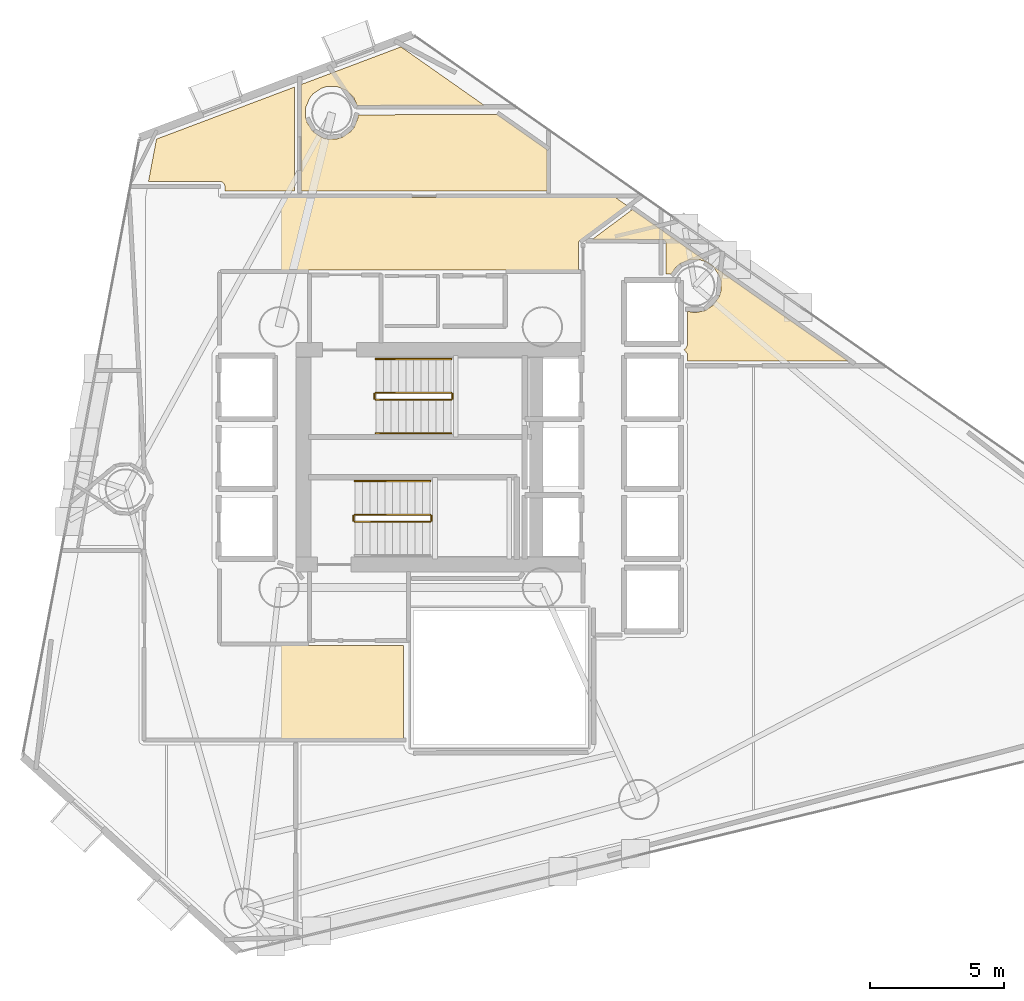
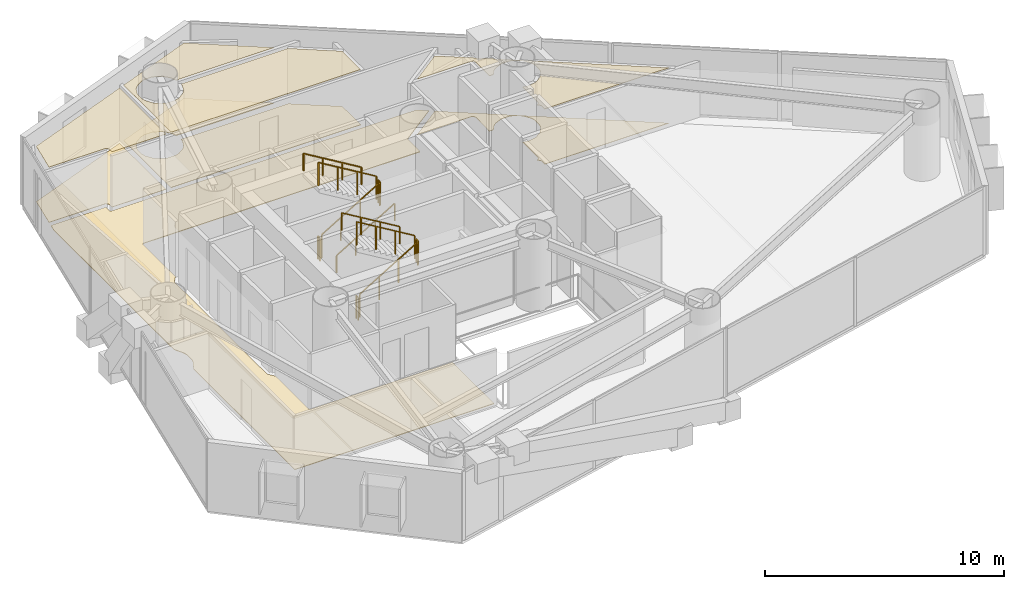
# One storey, part 23 of 24: 11 railings, 7 coverings.
"""IFC4 building model written with IfcOpenShell, lengths in metres."""

from ifc_helpers import new_model, si_unit, direction, frame, origin, origin_2d, place, context, subcontext, project, spatial, polyline, rectangle, outline, extrude, material, layer, layer_set, type_object, element, save


model = new_model("IFC4")

# Units and contexts
model_context = context("Model", 3, precision=1e-05, world=origin(), true_north=direction((0.0, 1.0)))
body_context = subcontext(model_context, "Body", "Model", "MODEL_VIEW")
ifc_project = project(units=[si_unit("LENGTHUNIT", "METRE"), si_unit("AREAUNIT", "SQUARE_METRE"), si_unit("VOLUMEUNIT", "CUBIC_METRE"), si_unit("PLANEANGLEUNIT", "RADIAN"), si_unit("MASSUNIT", "GRAM", prefix="KILO")], contexts=[model_context])

# Site, building, storey
site_placement = place(None, origin())
site = spatial("IfcSite", under=ifc_project, at=site_placement, CompositionType="ELEMENT")
building_placement = place(site_placement, origin())
building = spatial("IfcBuilding", under=site, at=building_placement, Name="Qianvela Tower", CompositionType="ELEMENT")
storey_placement = place(building_placement, frame((0.0, 0.0, 101.5)))
storey = spatial("IfcBuildingStorey", under=building, at=storey_placement, Name="L25", CompositionType="ELEMENT", Elevation=101.5)

# Coverings
ifc_material_1 = material(Name="Perforated Mineral Acoustic Ceiling Tile")
ifc_layer_1 = layer(ifc_material_1, 0.02490234375)
ifc_layer_set_1 = layer_set([ifc_layer_1], Name="Perforated Mineral Acoustic Ceiling Tile")
covering_type_1 = type_object("IfcCoveringType", Name="COV-CEIL-ACOUSTIC-25", PredefinedType="CEILING", material=ifc_layer_set_1)
covering_1_placement = place(storey_placement, frame((0.0, 0.0, 2.81494140625)))
element("IfcCovering", 1, at=covering_1_placement, inside=storey, type_object=covering_type_1, Name="L25 Acoustic Ceiling Shared Communal Kitchen L25-03", PredefinedType="CEILING", context=body_context, shape_type="SweptSolid", body=[
    extrude(outline(polyline([(43.66015625, 32.70361328125), (43.713134765625, 32.728759765625), (43.72021484375, 32.732421875), (43.726806640625, 32.73681640625), (43.732666015625, 32.74169921875), (43.73828125, 32.747314453125), (43.743408203125, 32.75341796875), (43.74755859375, 32.760009765625), (43.751220703125, 32.766845703125), (43.79150390625, 32.85205078125), (43.79443359375, 32.858642578125), (43.79638671875, 32.865234375), (43.798095703125, 32.872314453125), (43.799072265625, 32.87939453125), (43.79931640625, 32.88623046875), (43.79833984375, 34.1337890625), (44.05517578125, 34.08154296875), (44.06298828125, 34.080322265625), (44.07080078125, 34.080078125), (44.078857421875, 34.080322265625), (44.086669921875, 34.08154296875), (44.434814453125, 34.15087890625), (44.4423828125, 34.152587890625), (44.449951171875, 34.155517578125), (44.45703125, 34.15869140625), (44.463623046875, 34.162841796875), (44.7587890625, 34.360107421875), (44.76513671875, 34.36474609375), (44.77099609375, 34.3701171875), (44.7763671875, 34.375732421875), (44.781005859375, 34.382080078125), (44.978271484375, 34.67724609375), (44.982421875, 34.68408203125), (44.985595703125, 34.691162109375), (44.98828125, 34.698486328125), (45.0400390625, 34.869140625), (45.0419921875, 34.876953125), (45.043212890625, 34.884521484375), (45.04345703125, 34.892578125), (45.04345703125, 35.24755859375), (45.043212890625, 35.25537109375), (45.0419921875, 35.26318359375), (45.0400390625, 35.270751953125), (44.98828125, 35.44140625), (44.985595703125, 35.448974609375), (44.982421875, 35.4560546875), (44.978271484375, 35.462646484375), (44.781005859375, 35.7578125), (44.7763671875, 35.76416015625), (44.77099609375, 35.77001953125), (44.76513671875, 35.775390625), (44.7587890625, 35.780029296875), (44.463623046875, 35.977294921875), (44.45703125, 35.981201171875), (44.449951171875, 35.984619140625), (44.4423828125, 35.9873046875), (44.271728515625, 36.0390625), (44.26416015625, 36.041015625), (44.25634765625, 36.0419921875), (44.24853515625, 36.04248046875), (43.8935546875, 36.04248046875), (43.885498046875, 36.0419921875), (43.8779296875, 36.041015625), (43.8701171875, 36.0390625), (43.86279296875, 36.036376953125), (43.534912109375, 35.900390625), (43.527587890625, 35.897216796875), (43.52099609375, 35.893310546875), (43.5146484375, 35.888427734375), (43.376708984375, 35.775390625), (43.37109375, 35.770263671875), (43.365966796875, 35.764404296875), (43.361328125, 35.75830078125), (43.199462890625, 35.519775390625), (43.0, 35.52001953125), (43.010009765625, 36.6494140625), (43.009765625, 36.6572265625), (43.008544921875, 36.665283203125), (43.006591796875, 36.673095703125), (43.00390625, 36.6806640625), (42.98046875, 36.7373046875), (42.97705078125, 36.744384765625), (42.97314453125, 36.7509765625), (42.968505859375, 36.75732421875), (42.963134765625, 36.76318359375), (42.957275390625, 36.768310546875), (42.950927734375, 36.773193359375), (42.9443359375, 36.777099609375), (42.937255859375, 36.780517578125), (42.880615234375, 36.803955078125), (42.873291015625, 36.806640625), (42.865478515625, 36.80859375), (42.85791015625, 36.8095703125), (42.85009765625, 36.81005859375), (40.26220703125, 36.81005859375), (41.75341796875, 37.922119140625), (49.78955078125, 32.280029296875), (43.798583984375, 32.280029296875), (43.79736328125, 32.52783203125), (43.796875, 32.5361328125), (43.79541015625, 32.544189453125), (43.793212890625, 32.552490234375), (43.790283203125, 32.560302734375), (43.786376953125, 32.567626953125), (43.781982421875, 32.57470703125), (43.776611328125, 32.5810546875), (43.679931640625, 32.687744140625), (43.674072265625, 32.693603515625), (43.66748046875, 32.69873046875), (43.66064453125, 32.703369140625), (43.66015625, 32.70361328125)])), origin(), (0.0, 0.0, 1.0), 0.025146484375),
])
covering_2_placement = place(storey_placement, frame((0.0, 0.0, 2.81494140625)))
element("IfcCovering", 2, at=covering_2_placement, inside=storey, type_object=covering_type_1, Name="L25 Acoustic Ceiling Student Tea Pantry L25-04", PredefinedType="CEILING", context=body_context, shape_type="SweptSolid", body=[
    extrude(outline(polyline([(29.422119140625, 38.610107421875), (29.422119140625, 42.570068359375), (33.137451171875, 43.971435546875), (36.239013671875, 41.7939453125), (31.5087890625, 41.781982421875), (31.39453125, 42.057373046875), (31.39111328125, 42.064208984375), (31.38720703125, 42.071044921875), (31.382568359375, 42.077392578125), (31.377197265625, 42.0830078125), (31.126220703125, 42.334228515625), (31.120361328125, 42.339599609375), (31.114013671875, 42.34423828125), (31.107421875, 42.34814453125), (31.10009765625, 42.3515625), (30.772216796875, 42.4873046875), (30.764892578125, 42.489990234375), (30.757080078125, 42.491943359375), (30.74951171875, 42.4931640625), (30.741455078125, 42.493408203125), (30.386474609375, 42.493408203125), (30.378662109375, 42.4931640625), (30.370849609375, 42.491943359375), (30.36328125, 42.489990234375), (30.1923828125, 42.438232421875), (30.18505859375, 42.435546875), (30.177978515625, 42.432373046875), (30.17138671875, 42.42822265625), (29.876220703125, 42.23095703125), (29.869873046875, 42.226318359375), (29.864013671875, 42.220947265625), (29.858642578125, 42.215087890625), (29.74560546875, 42.077392578125), (29.74072265625, 42.071044921875), (29.73681640625, 42.064208984375), (29.7333984375, 42.05712890625), (29.59765625, 41.72900390625), (29.594970703125, 41.7216796875), (29.593017578125, 41.714111328125), (29.591796875, 41.706298828125), (29.591552734375, 41.698486328125), (29.591552734375, 41.343505859375), (29.591796875, 41.335693359375), (29.593017578125, 41.327880859375), (29.594970703125, 41.3203125), (29.646728515625, 41.1494140625), (29.6494140625, 41.14208984375), (29.652587890625, 41.135009765625), (29.65673828125, 41.12841796875), (29.85400390625, 40.8330078125), (29.858642578125, 40.826904296875), (29.864013671875, 40.821044921875), (29.869873046875, 40.815673828125), (29.876220703125, 40.81103515625), (30.17138671875, 40.61376953125), (30.177978515625, 40.609619140625), (30.18505859375, 40.6064453125), (30.1923828125, 40.603759765625), (30.36328125, 40.552001953125), (30.370849609375, 40.550048828125), (30.378662109375, 40.548828125), (30.386474609375, 40.548583984375), (30.741455078125, 40.548583984375), (30.74951171875, 40.548828125), (30.757080078125, 40.550048828125), (30.764892578125, 40.552001953125), (30.935546875, 40.603759765625), (30.94287109375, 40.6064453125), (30.949951171875, 40.609619140625), (30.956787109375, 40.61376953125), (31.251953125, 40.81103515625), (31.25830078125, 40.815673828125), (31.263916015625, 40.821044921875), (31.269287109375, 40.826904296875), (31.382568359375, 40.964599609375), (31.38720703125, 40.970947265625), (31.39111328125, 40.977783203125), (31.39453125, 40.98486328125), (31.530517578125, 41.31298828125), (31.533203125, 41.3203125), (31.534912109375, 41.327880859375), (31.5361328125, 41.335693359375), (31.54638671875, 41.442138671875), (36.721435546875, 41.455078125), (38.577880859375, 40.151611328125), (38.577880859375, 38.610107421875), (29.422119140625, 38.610107421875)])), origin(), (0.0, 0.0, 1.0), 0.025146484375),
])
covering_3_placement = place(storey_placement, frame((0.0, 0.0, 2.81494140625)))
element("IfcCovering", 3, at=covering_3_placement, inside=storey, type_object=covering_type_1, Name="L25 Acoustic Ceiling Stationery Supply Boutique L25-05", PredefinedType="CEILING", context=body_context, shape_type="SweptSolid", body=[
    extrude(outline(polyline([(29.177978515625, 38.610107421875), (26.57958984375, 38.610107421875), (26.57861328125, 38.81591796875), (26.577880859375, 38.82421875), (26.57666015625, 38.83251953125), (26.574462890625, 38.840576171875), (26.571533203125, 38.84814453125), (26.567626953125, 38.855712890625), (26.563232421875, 38.862548828125), (26.55810546875, 38.868896484375), (26.55224609375, 38.875), (26.481689453125, 38.93896484375), (26.47509765625, 38.944091796875), (26.468017578125, 38.94873046875), (26.46044921875, 38.95263671875), (26.45263671875, 38.955810546875), (26.444580078125, 38.957763671875), (26.436279296875, 38.959228515625), (26.427978515625, 38.959716796875), (23.739501953125, 38.9599609375), (24.03857421875, 40.53955078125), (29.177978515625, 42.47802734375), (29.177978515625, 38.610107421875)])), origin(), (0.0, 0.0, 1.0), 0.025146484375),
])
ifc_material_2 = material(Name="Engineered Acoustic Oak Timber Flooring", Category="wood")
ifc_layer_2 = layer(ifc_material_2, 0.02001953125)
ifc_layer_set_2 = layer_set([ifc_layer_2], Name="Engineered Acoustic Oak Timber Flooring")
covering_type_2 = type_object("IfcCoveringType", Name="COV-FLOOR-OAK-20", PredefinedType="FLOORING", material=ifc_layer_set_2)
covering_4_placement = place(storey_placement, origin())
element("IfcCovering", 4, at=covering_4_placement, inside=storey, type_object=covering_type_2, Name="L25 Finish Flooring Shared Communal Kitchen L25-03", PredefinedType="FLOORING", context=body_context, shape_type="SweptSolid", body=[
    extrude(outline(polyline([(43.66015625, 32.70361328125), (43.713134765625, 32.728759765625), (43.72021484375, 32.732421875), (43.726806640625, 32.73681640625), (43.732666015625, 32.74169921875), (43.73828125, 32.747314453125), (43.743408203125, 32.75341796875), (43.74755859375, 32.760009765625), (43.751220703125, 32.766845703125), (43.79150390625, 32.85205078125), (43.79443359375, 32.858642578125), (43.79638671875, 32.865234375), (43.798095703125, 32.872314453125), (43.799072265625, 32.87939453125), (43.79931640625, 32.88623046875), (43.79833984375, 34.1337890625), (44.05517578125, 34.08154296875), (44.06298828125, 34.080322265625), (44.07080078125, 34.080078125), (44.078857421875, 34.080322265625), (44.086669921875, 34.08154296875), (44.434814453125, 34.15087890625), (44.4423828125, 34.152587890625), (44.449951171875, 34.155517578125), (44.45703125, 34.15869140625), (44.463623046875, 34.162841796875), (44.7587890625, 34.360107421875), (44.76513671875, 34.36474609375), (44.77099609375, 34.3701171875), (44.7763671875, 34.375732421875), (44.781005859375, 34.382080078125), (44.978271484375, 34.67724609375), (44.982421875, 34.68408203125), (44.985595703125, 34.691162109375), (44.98828125, 34.698486328125), (45.0400390625, 34.869140625), (45.0419921875, 34.876953125), (45.043212890625, 34.884521484375), (45.04345703125, 34.892578125), (45.04345703125, 35.24755859375), (45.043212890625, 35.25537109375), (45.0419921875, 35.26318359375), (45.0400390625, 35.270751953125), (44.98828125, 35.44140625), (44.985595703125, 35.448974609375), (44.982421875, 35.4560546875), (44.978271484375, 35.462646484375), (44.781005859375, 35.7578125), (44.7763671875, 35.76416015625), (44.77099609375, 35.77001953125), (44.76513671875, 35.775390625), (44.7587890625, 35.780029296875), (44.463623046875, 35.977294921875), (44.45703125, 35.981201171875), (44.449951171875, 35.984619140625), (44.4423828125, 35.9873046875), (44.271728515625, 36.0390625), (44.26416015625, 36.041015625), (44.25634765625, 36.0419921875), (44.24853515625, 36.04248046875), (43.8935546875, 36.04248046875), (43.885498046875, 36.0419921875), (43.8779296875, 36.041015625), (43.8701171875, 36.0390625), (43.86279296875, 36.036376953125), (43.534912109375, 35.900390625), (43.527587890625, 35.897216796875), (43.52099609375, 35.893310546875), (43.5146484375, 35.888427734375), (43.376708984375, 35.775390625), (43.37109375, 35.770263671875), (43.365966796875, 35.764404296875), (43.361328125, 35.75830078125), (43.199462890625, 35.519775390625), (43.0, 35.52001953125), (43.010009765625, 36.6494140625), (43.009765625, 36.6572265625), (43.008544921875, 36.665283203125), (43.006591796875, 36.673095703125), (43.00390625, 36.6806640625), (42.98046875, 36.7373046875), (42.97705078125, 36.744384765625), (42.97314453125, 36.7509765625), (42.968505859375, 36.75732421875), (42.963134765625, 36.76318359375), (42.957275390625, 36.768310546875), (42.950927734375, 36.773193359375), (42.9443359375, 36.777099609375), (42.937255859375, 36.780517578125), (42.880615234375, 36.803955078125), (42.873291015625, 36.806640625), (42.865478515625, 36.80859375), (42.85791015625, 36.8095703125), (42.85009765625, 36.81005859375), (40.26220703125, 36.81005859375), (41.75341796875, 37.922119140625), (49.78955078125, 32.280029296875), (43.798583984375, 32.280029296875), (43.79736328125, 32.52783203125), (43.796875, 32.5361328125), (43.79541015625, 32.544189453125), (43.793212890625, 32.552490234375), (43.790283203125, 32.560302734375), (43.786376953125, 32.567626953125), (43.781982421875, 32.57470703125), (43.776611328125, 32.5810546875), (43.679931640625, 32.687744140625), (43.674072265625, 32.693603515625), (43.66748046875, 32.69873046875), (43.66064453125, 32.703369140625), (43.66015625, 32.70361328125)])), origin(), (0.0, 0.0, 1.0), 0.02001953125),
])
covering_5_placement = place(storey_placement, origin())
element("IfcCovering", 5, at=covering_5_placement, inside=storey, type_object=covering_type_2, Name="L25 Finish Flooring Student Tea Pantry L25-04", PredefinedType="FLOORING", context=body_context, shape_type="SweptSolid", body=[
    extrude(outline(polyline([(29.422119140625, 38.610107421875), (29.422119140625, 42.570068359375), (33.137451171875, 43.971435546875), (36.239013671875, 41.7939453125), (31.5087890625, 41.781982421875), (31.39453125, 42.057373046875), (31.39111328125, 42.064208984375), (31.38720703125, 42.071044921875), (31.382568359375, 42.077392578125), (31.377197265625, 42.0830078125), (31.126220703125, 42.334228515625), (31.120361328125, 42.339599609375), (31.114013671875, 42.34423828125), (31.107421875, 42.34814453125), (31.10009765625, 42.3515625), (30.772216796875, 42.4873046875), (30.764892578125, 42.489990234375), (30.757080078125, 42.491943359375), (30.74951171875, 42.4931640625), (30.741455078125, 42.493408203125), (30.386474609375, 42.493408203125), (30.378662109375, 42.4931640625), (30.370849609375, 42.491943359375), (30.36328125, 42.489990234375), (30.1923828125, 42.438232421875), (30.18505859375, 42.435546875), (30.177978515625, 42.432373046875), (30.17138671875, 42.42822265625), (29.876220703125, 42.23095703125), (29.869873046875, 42.226318359375), (29.864013671875, 42.220947265625), (29.858642578125, 42.215087890625), (29.74560546875, 42.077392578125), (29.74072265625, 42.071044921875), (29.73681640625, 42.064208984375), (29.7333984375, 42.05712890625), (29.59765625, 41.72900390625), (29.594970703125, 41.7216796875), (29.593017578125, 41.714111328125), (29.591796875, 41.706298828125), (29.591552734375, 41.698486328125), (29.591552734375, 41.343505859375), (29.591796875, 41.335693359375), (29.593017578125, 41.327880859375), (29.594970703125, 41.3203125), (29.646728515625, 41.1494140625), (29.6494140625, 41.14208984375), (29.652587890625, 41.135009765625), (29.65673828125, 41.12841796875), (29.85400390625, 40.8330078125), (29.858642578125, 40.826904296875), (29.864013671875, 40.821044921875), (29.869873046875, 40.815673828125), (29.876220703125, 40.81103515625), (30.17138671875, 40.61376953125), (30.177978515625, 40.609619140625), (30.18505859375, 40.6064453125), (30.1923828125, 40.603759765625), (30.36328125, 40.552001953125), (30.370849609375, 40.550048828125), (30.378662109375, 40.548828125), (30.386474609375, 40.548583984375), (30.741455078125, 40.548583984375), (30.74951171875, 40.548828125), (30.757080078125, 40.550048828125), (30.764892578125, 40.552001953125), (30.935546875, 40.603759765625), (30.94287109375, 40.6064453125), (30.949951171875, 40.609619140625), (30.956787109375, 40.61376953125), (31.251953125, 40.81103515625), (31.25830078125, 40.815673828125), (31.263916015625, 40.821044921875), (31.269287109375, 40.826904296875), (31.382568359375, 40.964599609375), (31.38720703125, 40.970947265625), (31.39111328125, 40.977783203125), (31.39453125, 40.98486328125), (31.530517578125, 41.31298828125), (31.533203125, 41.3203125), (31.534912109375, 41.327880859375), (31.5361328125, 41.335693359375), (31.54638671875, 41.442138671875), (36.721435546875, 41.455078125), (38.577880859375, 40.151611328125), (38.577880859375, 38.610107421875), (29.422119140625, 38.610107421875)])), origin(), (0.0, 0.0, 1.0), 0.02001953125),
])
covering_6_placement = place(storey_placement, origin())
element("IfcCovering", 6, at=covering_6_placement, inside=storey, type_object=covering_type_2, Name="L25 Finish Flooring Stationery Supply Boutique L25-05", PredefinedType="FLOORING", context=body_context, shape_type="SweptSolid", body=[
    extrude(outline(polyline([(29.177978515625, 38.610107421875), (26.57958984375, 38.610107421875), (26.57861328125, 38.81591796875), (26.577880859375, 38.82421875), (26.57666015625, 38.83251953125), (26.574462890625, 38.840576171875), (26.571533203125, 38.84814453125), (26.567626953125, 38.855712890625), (26.563232421875, 38.862548828125), (26.55810546875, 38.868896484375), (26.55224609375, 38.875), (26.481689453125, 38.93896484375), (26.47509765625, 38.944091796875), (26.468017578125, 38.94873046875), (26.46044921875, 38.95263671875), (26.45263671875, 38.955810546875), (26.444580078125, 38.957763671875), (26.436279296875, 38.959228515625), (26.427978515625, 38.959716796875), (23.739501953125, 38.9599609375), (24.03857421875, 40.53955078125), (29.177978515625, 42.47802734375), (29.177978515625, 38.610107421875)])), origin(), (0.0, 0.0, 1.0), 0.02001953125),
])
ifc_material_3 = material(Name="Honed Stone Terrazzo Flooring", Category="masonry")
ifc_layer_3 = layer(ifc_material_3, 0.030029296875)
ifc_layer_set_3 = layer_set([ifc_layer_3], Name="Honed Stone Terrazzo Flooring")
covering_type_3 = type_object("IfcCoveringType", Name="COV-FLOOR-TERRAZZO-30", PredefinedType="FLOORING", material=ifc_layer_set_3)
covering_7_placement = place(storey_placement, origin())
element("IfcCovering", 7, at=covering_7_placement, inside=storey, type_object=covering_type_3, Name="L25 Finish Flooring L25 Floor Corridor", PredefinedType="FLOORING", context=body_context, shape_type="SweptSolid", body=[
    extrude(outline(polyline([(26.340087890625, 38.719970703125), (26.340087890625, 38.449951171875), (26.34033203125, 38.442138671875), (26.341552734375, 38.434326171875), (26.343505859375, 38.4267578125), (26.34619140625, 38.41943359375), (26.349365234375, 38.412353515625), (26.353515625, 38.405517578125), (26.358154296875, 38.399169921875), (26.36328125, 38.393310546875), (26.369140625, 38.38818359375), (26.37548828125, 38.383544921875), (26.38232421875, 38.37939453125), (26.389404296875, 38.376220703125), (26.396728515625, 38.373291015625), (26.404296875, 38.37158203125), (26.412109375, 38.370361328125), (26.419921875, 38.3701171875), (41.11572265625, 38.3701171875), (41.5498046875, 38.065185546875), (39.784423828125, 36.753662109375), (39.778076171875, 36.748291015625), (39.772216796875, 36.742431640625), (39.76708984375, 36.736083984375), (39.7626953125, 36.729248046875), (39.759033203125, 36.721923828125), (39.756103515625, 36.71435546875), (39.75390625, 36.70654296875), (39.752685546875, 36.698486328125), (39.752197265625, 36.690185546875), (39.739013671875, 35.659912109375), (26.419921875, 35.659912109375), (26.412109375, 35.65966796875), (26.404296875, 35.658447265625), (26.396728515625, 35.656494140625), (26.389404296875, 35.65380859375), (26.38232421875, 35.650634765625), (26.37548828125, 35.646484375), (26.369140625, 35.641845703125), (26.36328125, 35.63671875), (26.358154296875, 35.630859375), (26.353515625, 35.62451171875), (26.349365234375, 35.61767578125), (26.34619140625, 35.610595703125), (26.343505859375, 35.603271484375), (26.341552734375, 35.595703125), (26.34033203125, 35.587890625), (26.340087890625, 35.580078125), (26.340087890625, 32.89599609375), (26.139404296875, 32.62548828125), (26.135498046875, 32.61962890625), (26.132080078125, 32.61376953125), (26.12939453125, 32.607421875), (26.126953125, 32.60107421875), (26.103515625, 32.523193359375), (26.1015625, 32.515625), (26.100341796875, 32.5078125), (26.10009765625, 32.5), (26.10009765625, 24.89990234375), (26.100341796875, 24.89208984375), (26.1015625, 24.884521484375), (26.103515625, 24.876708984375), (26.126953125, 24.799072265625), (26.12939453125, 24.79248046875), (26.132080078125, 24.786376953125), (26.135498046875, 24.7802734375), (26.139404296875, 24.774658203125), (26.340087890625, 24.50390625), (26.340087890625, 21.780029296875), (26.34033203125, 21.772216796875), (26.341552734375, 21.764404296875), (26.343505859375, 21.7568359375), (26.34619140625, 21.74951171875), (26.349365234375, 21.7421875), (26.353515625, 21.735595703125), (26.358154296875, 21.729248046875), (26.36328125, 21.723388671875), (26.369140625, 21.71826171875), (26.37548828125, 21.71337890625), (26.38232421875, 21.70947265625), (26.389404296875, 21.7060546875), (26.396728515625, 21.703369140625), (26.404296875, 21.701416015625), (26.412109375, 21.700439453125), (26.419921875, 21.699951171875), (33.239990234375, 21.699951171875), (33.239990234375, 18.22998046875), (23.6298828125, 18.22998046875), (23.6298828125, 26.705322265625), (23.8447265625, 27.107177734375), (23.84814453125, 27.1142578125), (23.8505859375, 27.12158203125), (23.906005859375, 27.303466796875), (23.90771484375, 27.311279296875), (23.908935546875, 27.31884765625), (23.909423828125, 27.326904296875), (23.909423828125, 27.705078125), (23.908935546875, 27.713134765625), (23.90771484375, 27.720703125), (23.906005859375, 27.728515625), (23.8505859375, 27.910400390625), (23.84814453125, 27.917724609375), (23.8447265625, 27.9248046875), (23.6298828125, 28.32666015625), (23.6298828125, 38.381103515625), (23.694091796875, 38.719970703125), (26.340087890625, 38.719970703125)])), origin(), (0.0, 0.0, 1.0), 0.030029296875),
])

# Railings
ifc_material_4 = material(Name="Painted Tubular Steel Q355B", Category="steel")
railing_type_1 = type_object("IfcRailingType", Name="RL-STAIR-GUARD-1200", PredefinedType="GUARDRAIL", material=ifc_material_4)
railing_1_placement = place(storey_placement, frame((32.199951171875, 30.840087890625, 0.168212890625)))
element("IfcRailing", 8, at=railing_1_placement, inside=storey, type_object=railing_type_1, Name="L25 ST-1 stair guard 1", PredefinedType="GUARDRAIL", context=body_context, shape_type="SweptSolid", body=[
    extrude(rectangle(XDim=0.050048828125, YDim=0.0400390625, at=origin_2d()), frame((0.0, 0.0, 1.179931640625), z_axis=(0.857242210791, 0.0, 0.514913383045), x_axis=(0.0, 1.0, 0.0)), (0.0, 0.0, 1.0), 3.266357421875),
    extrude(rectangle(XDim=0.050048828125, YDim=0.050048828125, at=origin_2d()), origin(), (0.0, 0.0, 1.0), 1.159912109375),
    extrude(rectangle(XDim=0.050048828125, YDim=0.050048828125, at=origin_2d()), frame((0.933349609375, 0.0, 0.560546875)), (0.0, 0.0, 1.0), 1.159912109375),
    extrude(rectangle(XDim=0.050048828125, YDim=0.050048828125, at=origin_2d()), frame((1.86669921875, 0.0, 1.121337890625)), (0.0, 0.0, 1.0), 1.159912109375),
    extrude(rectangle(XDim=0.050048828125, YDim=0.050048828125, at=origin_2d()), frame((2.800048828125, 0.0, 1.681884765625)), (0.0, 0.0, 1.0), 1.159912109375),
])
railing_2_placement = place(storey_placement, frame((35.050048828125, 30.889892578125, 1.85009765625)))
element("IfcRailing", 9, at=railing_2_placement, inside=storey, type_object=railing_type_1, Name="L25 ST-1 stair guard 2", PredefinedType="GUARDRAIL", context=body_context, shape_type="SweptSolid", body=[
    extrude(rectangle(XDim=0.050048828125, YDim=0.0400390625, at=origin_2d()), frame((0.0, 0.0, 1.179931640625), z_axis=(0.0, 1.0, 0.0), x_axis=(-1.0, 0.0, 0.0)), (0.0, 0.0, 1.0), 0.16015625),
    extrude(rectangle(XDim=0.050048828125, YDim=0.050048828125, at=origin_2d()), origin(), (0.0, 0.0, 1.0), 1.159912109375),
    extrude(rectangle(XDim=0.050048828125, YDim=0.050048828125, at=origin_2d()), frame((0.0, 0.16015625, 0.0)), (0.0, 0.0, 1.0), 1.159912109375),
])
railing_3_placement = place(storey_placement, frame((35.0, 31.10009765625, 2.01806640625)))
element("IfcRailing", 10, at=railing_3_placement, inside=storey, type_object=railing_type_1, Name="L25 ST-1 stair guard 3", PredefinedType="GUARDRAIL", context=body_context, shape_type="SweptSolid", body=[
    extrude(rectangle(XDim=0.050048828125, YDim=0.0400390625, at=origin_2d()), frame((0.0, 0.0, 1.179931640625), z_axis=(-0.857242210791, 0.0, 0.514913383045), x_axis=(0.0, -1.0, 0.0)), (0.0, 0.0, 1.0), 3.266357421875),
    extrude(rectangle(XDim=0.050048828125, YDim=0.050048828125, at=origin_2d()), origin(), (0.0, 0.0, 1.0), 1.159912109375),
    extrude(rectangle(XDim=0.050048828125, YDim=0.050048828125, at=origin_2d()), frame((-0.933349609375, 0.0, 0.560546875)), (0.0, 0.0, 1.0), 1.159912109375),
    extrude(rectangle(XDim=0.050048828125, YDim=0.050048828125, at=origin_2d()), frame((-1.86669921875, 0.0, 1.121337890625)), (0.0, 0.0, 1.0), 1.159912109375),
    extrude(rectangle(XDim=0.050048828125, YDim=0.050048828125, at=origin_2d()), frame((-2.800048828125, 0.0, 1.681884765625)), (0.0, 0.0, 1.0), 1.159912109375),
])
railing_4_placement = place(storey_placement, frame((32.14990234375, 30.889892578125, 0.0)))
element("IfcRailing", 11, at=railing_4_placement, inside=storey, type_object=railing_type_1, Name="L25 ST-1 stair guard 4", PredefinedType="GUARDRAIL", context=body_context, shape_type="SweptSolid", body=[
    extrude(rectangle(XDim=0.050048828125, YDim=0.0400390625, at=origin_2d()), frame((0.0, 0.0, 1.179931640625), z_axis=(0.0, 1.0, 0.0), x_axis=(-1.0, 0.0, 0.0)), (0.0, 0.0, 1.0), 0.16015625),
    extrude(rectangle(XDim=0.050048828125, YDim=0.050048828125, at=origin_2d()), origin(), (0.0, 0.0, 1.0), 1.159912109375),
    extrude(rectangle(XDim=0.050048828125, YDim=0.050048828125, at=origin_2d()), frame((0.0, 0.16015625, 0.0)), (0.0, 0.0, 1.0), 1.159912109375),
])
railing_5_placement = place(storey_placement, frame((31.419921875, 26.300048828125, 0.168212890625)))
element("IfcRailing", 12, at=railing_5_placement, inside=storey, type_object=railing_type_1, Name="L25 ST-2 stair guard 1", PredefinedType="GUARDRAIL", context=body_context, shape_type="SweptSolid", body=[
    extrude(rectangle(XDim=0.050048828125, YDim=0.0400390625, at=origin_2d()), frame((0.0, 0.0, 1.179931640625), z_axis=(0.857242210791, 0.0, 0.514913383045), x_axis=(0.0, 1.0, 0.0)), (0.0, 0.0, 1.0), 3.266357421875),
    extrude(rectangle(XDim=0.050048828125, YDim=0.050048828125, at=origin_2d()), origin(), (0.0, 0.0, 1.0), 1.159912109375),
    extrude(rectangle(XDim=0.050048828125, YDim=0.050048828125, at=origin_2d()), frame((0.933349609375, 0.0, 0.560546875)), (0.0, 0.0, 1.0), 1.159912109375),
    extrude(rectangle(XDim=0.050048828125, YDim=0.050048828125, at=origin_2d()), frame((1.86669921875, 0.0, 1.121337890625)), (0.0, 0.0, 1.0), 1.159912109375),
    extrude(rectangle(XDim=0.050048828125, YDim=0.050048828125, at=origin_2d()), frame((2.800048828125, 0.0, 1.681884765625)), (0.0, 0.0, 1.0), 1.159912109375),
])
railing_6_placement = place(storey_placement, frame((34.27001953125, 26.35009765625, 1.85009765625)))
element("IfcRailing", 13, at=railing_6_placement, inside=storey, type_object=railing_type_1, Name="L25 ST-2 stair guard 2", PredefinedType="GUARDRAIL", context=body_context, shape_type="SweptSolid", body=[
    extrude(rectangle(XDim=0.050048828125, YDim=0.0400390625, at=origin_2d()), frame((0.0, 0.0, 1.179931640625), z_axis=(0.0, 1.0, 0.0), x_axis=(-1.0, 0.0, 0.0)), (0.0, 0.0, 1.0), 0.159912109375),
    extrude(rectangle(XDim=0.050048828125, YDim=0.050048828125, at=origin_2d()), origin(), (0.0, 0.0, 1.0), 1.159912109375),
    extrude(rectangle(XDim=0.050048828125, YDim=0.050048828125, at=origin_2d()), frame((0.0, 0.159912109375, 0.0)), (0.0, 0.0, 1.0), 1.159912109375),
])
railing_7_placement = place(storey_placement, frame((34.219970703125, 26.56005859375, 2.01806640625)))
element("IfcRailing", 14, at=railing_7_placement, inside=storey, type_object=railing_type_1, Name="L25 ST-2 stair guard 3", PredefinedType="GUARDRAIL", context=body_context, shape_type="SweptSolid", body=[
    extrude(rectangle(XDim=0.050048828125, YDim=0.0400390625, at=origin_2d()), frame((0.0, 0.0, 1.179931640625), z_axis=(-0.857242210791, 0.0, 0.514913383045), x_axis=(0.0, -1.0, 0.0)), (0.0, 0.0, 1.0), 3.266357421875),
    extrude(rectangle(XDim=0.050048828125, YDim=0.050048828125, at=origin_2d()), origin(), (0.0, 0.0, 1.0), 1.159912109375),
    extrude(rectangle(XDim=0.050048828125, YDim=0.050048828125, at=origin_2d()), frame((-0.933349609375, 0.0, 0.560546875)), (0.0, 0.0, 1.0), 1.159912109375),
    extrude(rectangle(XDim=0.050048828125, YDim=0.050048828125, at=origin_2d()), frame((-1.86669921875, 0.0, 1.121337890625)), (0.0, 0.0, 1.0), 1.159912109375),
    extrude(rectangle(XDim=0.050048828125, YDim=0.050048828125, at=origin_2d()), frame((-2.800048828125, 0.0, 1.681884765625)), (0.0, 0.0, 1.0), 1.159912109375),
])
railing_8_placement = place(storey_placement, frame((31.3701171875, 26.35009765625, 0.0)))
element("IfcRailing", 15, at=railing_8_placement, inside=storey, type_object=railing_type_1, Name="L25 ST-2 stair guard 4", PredefinedType="GUARDRAIL", context=body_context, shape_type="SweptSolid", body=[
    extrude(rectangle(XDim=0.050048828125, YDim=0.0400390625, at=origin_2d()), frame((0.0, 0.0, 1.179931640625), z_axis=(0.0, 1.0, 0.0), x_axis=(-1.0, 0.0, 0.0)), (0.0, 0.0, 1.0), 0.159912109375),
    extrude(rectangle(XDim=0.050048828125, YDim=0.050048828125, at=origin_2d()), origin(), (0.0, 0.0, 1.0), 1.159912109375),
    extrude(rectangle(XDim=0.050048828125, YDim=0.050048828125, at=origin_2d()), frame((0.0, 0.159912109375, 0.0)), (0.0, 0.0, 1.0), 1.159912109375),
])
ifc_material_5 = material(Name="Brushed Stainless Steel 304", Category="steel")
railing_type_2 = type_object("IfcRailingType", Name="RL-STAIR-HANDRAIL-900", PredefinedType="HANDRAIL", material=ifc_material_5)
railing_9_placement = place(storey_placement, frame((32.199951171875, 29.590087890625, 0.168212890625)))
element("IfcRailing", 16, at=railing_9_placement, inside=storey, type_object=railing_type_2, Name="L25 ST-1 stair handrail 1", PredefinedType="HANDRAIL", context=body_context, shape_type="SweptSolid", body=[
    extrude(rectangle(XDim=0.050048828125, YDim=0.0400390625, at=origin_2d()), frame((0.0, 0.0, 0.8798828125), z_axis=(0.857242210791, 0.0, 0.514913383045), x_axis=(0.0, 1.0, 0.0)), (0.0, 0.0, 1.0), 3.266357421875),
    extrude(rectangle(XDim=0.050048828125, YDim=0.050048828125, at=origin_2d()), origin(), (0.0, 0.0, 1.0), 0.85986328125),
    extrude(rectangle(XDim=0.050048828125, YDim=0.050048828125, at=origin_2d()), frame((0.933349609375, 0.0, 0.560546875)), (0.0, 0.0, 1.0), 0.85986328125),
    extrude(rectangle(XDim=0.050048828125, YDim=0.050048828125, at=origin_2d()), frame((1.86669921875, 0.0, 1.121337890625)), (0.0, 0.0, 1.0), 0.85986328125),
    extrude(rectangle(XDim=0.050048828125, YDim=0.050048828125, at=origin_2d()), frame((2.800048828125, 0.0, 1.681884765625)), (0.0, 0.0, 1.0), 0.85986328125),
])
for number, where, name in (
    (17, (35.0, 32.35009765625, 2.01806640625), "L25 ST-1 stair handrail 2"),
    (18, (34.219970703125, 27.81005859375, 2.01806640625), "L25 ST-2 stair handrail 2"),
):
    element("IfcRailing", number, at=place(storey_placement, frame(where)), inside=storey, type_object=railing_type_2, Name=name, PredefinedType="HANDRAIL", context=body_context, shape_type="SweptSolid", body=[
        extrude(rectangle(XDim=0.050048828125, YDim=0.0400390625, at=origin_2d()), frame((0.0, 0.0, 0.8798828125), z_axis=(-0.857242210791, 0.0, 0.514913383045), x_axis=(0.0, -1.0, 0.0)), (0.0, 0.0, 1.0), 3.266357421875),
        extrude(rectangle(XDim=0.050048828125, YDim=0.050048828125, at=origin_2d()), origin(), (0.0, 0.0, 1.0), 0.85986328125),
        extrude(rectangle(XDim=0.050048828125, YDim=0.050048828125, at=origin_2d()), frame((-0.933349609375, 0.0, 0.560546875)), (0.0, 0.0, 1.0), 0.85986328125),
        extrude(rectangle(XDim=0.050048828125, YDim=0.050048828125, at=origin_2d()), frame((-1.86669921875, 0.0, 1.121337890625)), (0.0, 0.0, 1.0), 0.85986328125),
        extrude(rectangle(XDim=0.050048828125, YDim=0.050048828125, at=origin_2d()), frame((-2.800048828125, 0.0, 1.681884765625)), (0.0, 0.0, 1.0), 0.85986328125),
    ])

save(model, "model.ifc")
